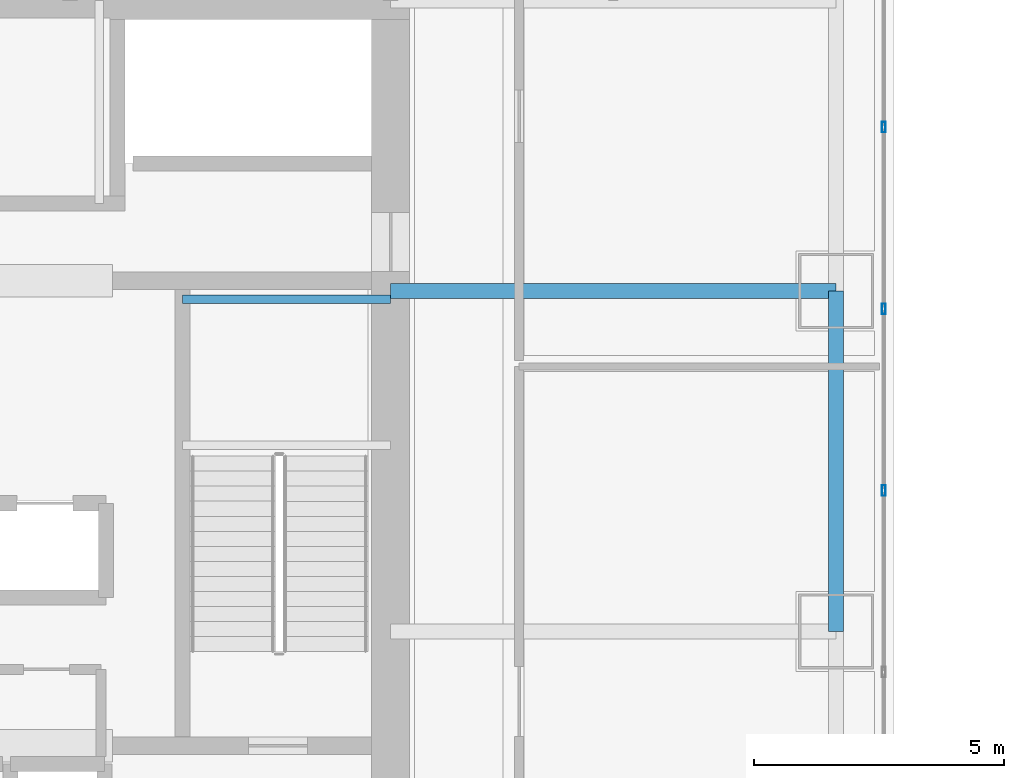
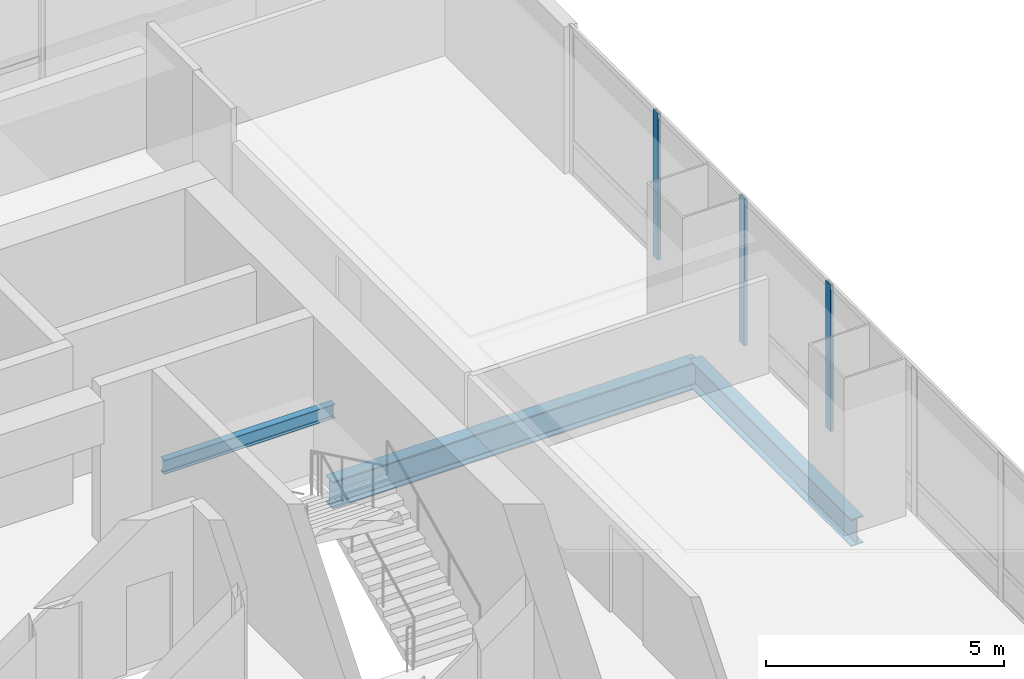
# One storey, part 16 of 45: 3 beams, 3 members, 1 element without a shape of its own.
"""IFC4 building model written with IfcOpenShell, lengths in metres."""

from ifc_helpers import new_model, si_unit, direction, frame, origin, origin_2d, place, context, subcontext, project, spatial, hollow_rectangle, i_section, extrude, material, material_profile, profile_set, type_object, element, aggregate, save


model = new_model("IFC4")

# Units and contexts
model_context = context("Model", 3, precision=1e-05, world=origin(), true_north=direction((0.0, 1.0)))
body_context = subcontext(model_context, "Body", "Model", "MODEL_VIEW")
ifc_project = project(units=[si_unit("LENGTHUNIT", "METRE"), si_unit("AREAUNIT", "SQUARE_METRE"), si_unit("VOLUMEUNIT", "CUBIC_METRE"), si_unit("PLANEANGLEUNIT", "RADIAN"), si_unit("MASSUNIT", "GRAM", prefix="KILO")], contexts=[model_context])

# Site, building, storey
site_placement = place(None, origin())
site = spatial("IfcSite", under=ifc_project, at=site_placement, CompositionType="ELEMENT")
building_placement = place(site_placement, origin())
building = spatial("IfcBuilding", under=site, at=building_placement, Name="Punatoya Terracotta Tower", CompositionType="ELEMENT")
storey_placement = place(building_placement, frame((0.0, 0.0, 56.550048828125)))
storey = spatial("IfcBuildingStorey", under=building, at=storey_placement, Name="L12", CompositionType="ELEMENT", Elevation=56.550048828125)

# Beams
ifc_material_1 = material(Name="Steel S355", Category="steel")
ifc_material_profile_1 = material_profile(ifc_material_1, i_section(OverallWidth=0.300048828125, OverallDepth=0.699951171875, WebThickness=0.01708984375, FlangeThickness=0.031982421875, FilletRadius=0.01806640625, at=origin_2d()))
ifc_profile_set_1 = profile_set([ifc_material_profile_1], Name="Steel S355")
beam_type_1 = type_object("IfcBeamType", Name="BM-PRI-700", PredefinedType="BEAM", material=ifc_profile_set_1)
beam_1_placement = place(storey_placement, frame((19.10009765625, -3.39990234375, -0.590087890625), z_axis=(0.0, 1.0, 0.0), x_axis=(-1.0, 0.0, 0.0)))
element("IfcBeam", 1, at=beam_1_placement, inside=storey, type_object=beam_type_1, Name="BM-L12-RG-E2", PredefinedType="BEAM", context=body_context, shape_type="SweptSolid", body=[
    extrude(i_section(OverallWidth=0.300048828125, OverallDepth=0.699951171875, WebThickness=0.01708984375, FlangeThickness=0.031982421875, FilletRadius=0.01806640625, at=origin_2d()), origin(), (0.0, 0.0, 1.0), 6.7998046875),
])
beam_2_placement = place(storey_placement, frame((10.199951171875, 3.39990234375, -0.590087890625), z_axis=(1.0, 0.0, 0.0), x_axis=(0.0, 1.0, 0.0)))
element("IfcBeam", 2, at=beam_2_placement, inside=storey, type_object=beam_type_1, Name="BM-L12-PR-EE", PredefinedType="BEAM", context=body_context, shape_type="SweptSolid", body=[
    extrude(i_section(OverallWidth=0.300048828125, OverallDepth=0.699951171875, WebThickness=0.01708984375, FlangeThickness=0.031982421875, FilletRadius=0.01806640625, at=origin_2d()), origin(), (0.0, 0.0, 1.0), 8.900146484375),
])
ifc_material_profile_2 = material_profile(ifc_material_1, i_section(OverallWidth=0.169921875, OverallDepth=0.360107421875, WebThickness=0.008056640625, FlangeThickness=0.0126953125, FilletRadius=0.01806640625, at=origin_2d()))
ifc_profile_set_2 = profile_set([ifc_material_profile_2], Name="Steel S355")
beam_type_2 = type_object("IfcBeamType", Name="BM-SEC-360", PredefinedType="JOIST", material=ifc_profile_set_2)
beam_3_placement = place(storey_placement, frame((6.050048828125, 3.22998046875, 1.64501953125), z_axis=(1.0, 0.0, 0.0), x_axis=(0.0, 1.0, 0.0)))
element("IfcBeam", 3, at=beam_3_placement, inside=storey, type_object=beam_type_2, Name="BM-L12-ST-2-LD1B", PredefinedType="JOIST", context=body_context, shape_type="SweptSolid", body=[
    extrude(i_section(OverallWidth=0.169921875, OverallDepth=0.360107421875, WebThickness=0.008056640625, FlangeThickness=0.0126953125, FilletRadius=0.01806640625, at=origin_2d()), origin(), (0.0, 0.0, 1.0), 4.14990234375),
])

# Curtain wall, members
ifc_material_2 = material(Name="Aluminium 6063-T6 + Double Low-E Glass", Category="aluminium")
curtain_wall_type = type_object("IfcCurtainWallType", Name="CW-M1", PredefinedType="NOTDEFINED", material=ifc_material_2)
curtain_wall_placement = place(storey_placement, origin())
curtain_wall = element("IfcCurtainWall", 4, at=curtain_wall_placement, inside=storey, type_object=curtain_wall_type, Name="L12 Curtain Wall CW-L12-E05-1", PredefinedType="NOTDEFINED")
ifc_material_3 = material(Name="Aluminium 6063-T6", Category="aluminium")
ifc_material_profile_3 = material_profile(ifc_material_3, hollow_rectangle(XDim=0.074951171875, YDim=0.2099609375, WallThickness=0.00439453125, at=origin_2d()))
ifc_profile_set_3 = profile_set([ifc_material_profile_3], Name="Aluminium 6063-T6")
member_type = type_object("IfcMemberType", Name="CW-MUL-M1", PredefinedType="MULLION", material=ifc_profile_set_3)
member_1_placement = place(storey_placement, frame((20.050048828125, -0.585693359375, 0.0), z_axis=(0.0, 0.0, 1.0), x_axis=(1.0, 0.0, 0.0)))
member_1 = element("IfcMember", 5, at=member_1_placement, type_object=member_type, Name="CW-L12-E05-1 Mullion 04", PredefinedType="MULLION", context=body_context, shape_type="SweptSolid", body=[
    extrude(hollow_rectangle(XDim=0.074951171875, YDim=0.2099609375, WallThickness=0.00439453125, at=origin_2d()), origin(), (0.0, 0.0, 1.0), 3.77001953125),
])
member_2_placement = place(storey_placement, frame((20.050048828125, 3.04296875, 0.0), z_axis=(0.0, 0.0, 1.0), x_axis=(1.0, 0.0, 0.0)))
member_2 = element("IfcMember", 6, at=member_2_placement, type_object=member_type, Name="CW-L12-E05-1 Mullion 05", PredefinedType="MULLION", context=body_context, shape_type="SweptSolid", body=[
    extrude(hollow_rectangle(XDim=0.074951171875, YDim=0.2099609375, WallThickness=0.00439453125, at=origin_2d()), origin(), (0.0, 0.0, 1.0), 3.77001953125),
])
member_3_placement = place(storey_placement, frame((20.050048828125, 6.67138671875, 0.0), z_axis=(0.0, 0.0, 1.0), x_axis=(1.0, 0.0, 0.0)))
member_3 = element("IfcMember", 7, at=member_3_placement, type_object=member_type, Name="CW-L12-E05-1 Mullion 06", PredefinedType="MULLION", context=body_context, shape_type="SweptSolid", body=[
    extrude(hollow_rectangle(XDim=0.074951171875, YDim=0.2099609375, WallThickness=0.00439453125, at=origin_2d()), origin(), (0.0, 0.0, 1.0), 3.77001953125),
])
aggregate(curtain_wall, [member_1, member_2, member_3])

save(model, "model.ifc")
